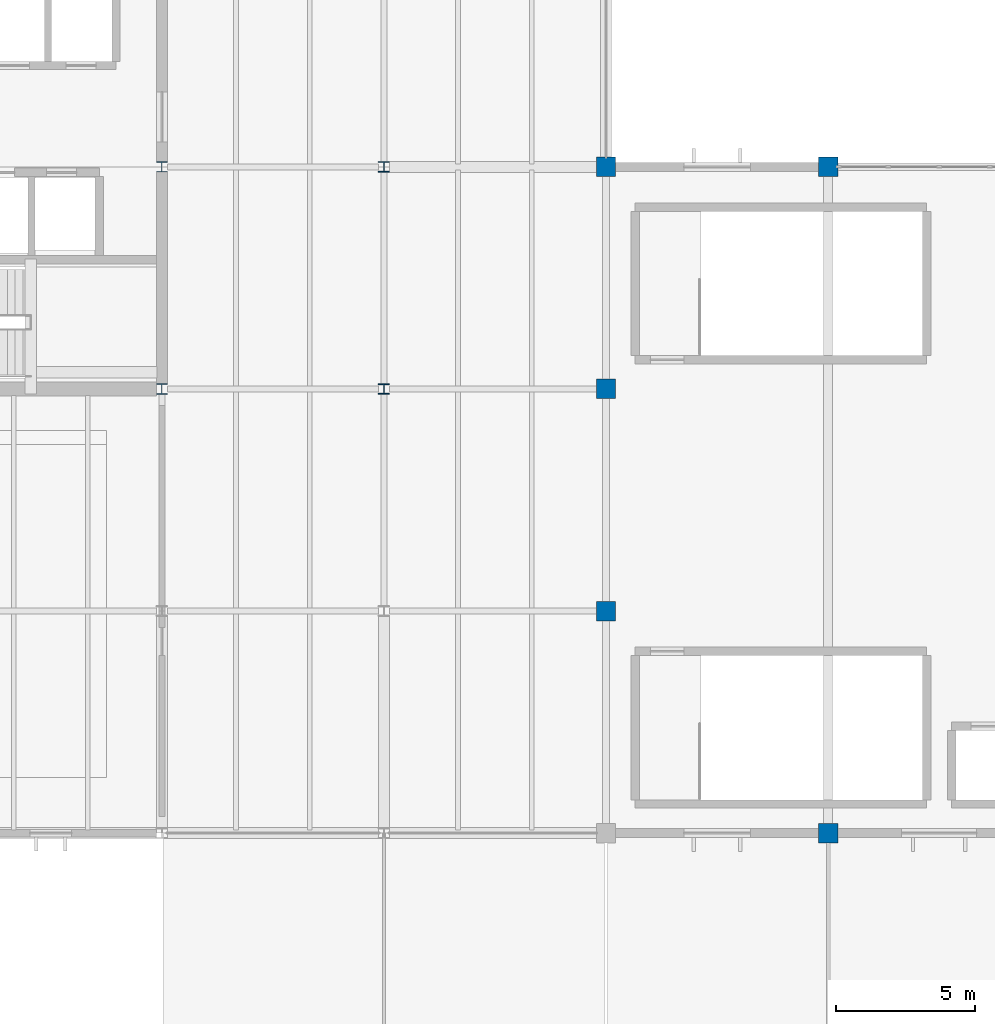
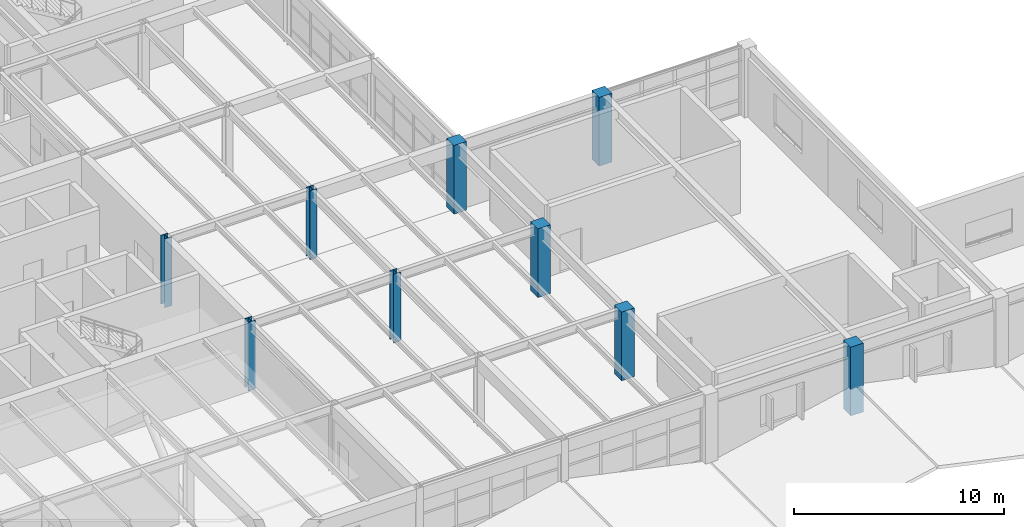
# One storey, part 2 of 48: 9 columns.
"""IFC4 building model written with IfcOpenShell, lengths in metres."""

import ifcopenshell
import ifcopenshell.guid

model = None  # the IFC model being written
_history = None  # IfcOwnerHistory: only IFC2X3 demands one
_inside = {}  # id of a spatial element -> (the spatial element, [elements in it])
_under = {}  # id of a project, library or spatial element -> (it, [spatial elements below it])
_declared = {}  # id of a project -> (the project, [libraries it declares])
_typed = {}  # id of a type object -> (the type object, [elements of that type])
_made_of = {}  # id of a material, layer set ... -> (it, [elements and type objects made of it])


def new_model(schema):
    """Start an empty IFC model of exactly this schema.

    Asked for "IFC4X3", IfcOpenShell would pick the latest addendum, in which some entities
    have other attributes; the version numbers below select the first issue.
    IFC2X3 requires an IfcOwnerHistory on every rooted entity: one is made here for all.
    """
    global model, _history
    if schema == "IFC4X3":
        model = ifcopenshell.file(schema_version=(4, 3, 0, 0))
    else:
        model = ifcopenshell.file(schema=schema)
    _inside.clear()
    _under.clear()
    _declared.clear()
    _typed.clear()
    _made_of.clear()
    _history = None
    if model.schema == "IFC2X3":
        org = make("IfcOrganization", Name="unknown")
        user = make(
            "IfcPersonAndOrganization",
            ThePerson=make("IfcPerson", FamilyName="unknown"),
            TheOrganization=org,
        )
        app = make(
            "IfcApplication",
            ApplicationDeveloper=org,
            Version="unknown",
            ApplicationFullName="unknown",
            ApplicationIdentifier="unknown",
        )
        _history = make(
            "IfcOwnerHistory",
            OwningUser=user,
            OwningApplication=app,
            ChangeAction="ADDED",
            CreationDate=0,
        )
    return model


def make(cls, **values):
    """One entity of the class cls with the attributes given. An attribute that is None is left unset."""
    return model.create_entity(
        cls, **{name: value for name, value in values.items() if value is not None}
    )


def rooted(cls, **values):
    """An entity with a GlobalId (a new one), such as an element, a storey or a relation."""
    return make(cls, GlobalId=ifcopenshell.guid.new(), OwnerHistory=_history, **values)


def si_unit(unit_type, name, prefix=None):
    """IfcSIUnit, for example si_unit("LENGTHUNIT", "METRE", prefix="MILLI")."""
    return make("IfcSIUnit", UnitType=unit_type, Prefix=prefix, Name=name)


def assignment(units):
    """IfcUnitAssignment: the units of a project."""
    return None if units is None else make("IfcUnitAssignment", Units=units)


def point(xyz):
    """IfcCartesianPoint."""
    return None if xyz is None else make("IfcCartesianPoint", Coordinates=xyz)


def direction(xyz):
    """IfcDirection."""
    return None if xyz is None else make("IfcDirection", DirectionRatios=xyz)


def frame(location, z_axis=None, x_axis=None):
    """IfcAxis2Placement3D, a coordinate frame: its origin and axes. An axis left out is left unset."""
    return make(
        "IfcAxis2Placement3D",
        Location=point(location),
        Axis=direction(z_axis),
        RefDirection=direction(x_axis),
    )


def frame_2d(location, x_axis=None):
    """IfcAxis2Placement2D, a coordinate frame in the plane: its origin and x axis."""
    return make(
        "IfcAxis2Placement2D", Location=point(location), RefDirection=direction(x_axis)
    )


def origin():
    """The frame at (0, 0, 0) with its axes left unset."""
    return frame((0.0, 0.0, 0.0))


def origin_2d():
    """The frame at (0, 0) in the plane with its x axis left unset."""
    return frame_2d((0.0, 0.0))


def place(relative_to, where):
    """IfcLocalPlacement: puts the frame where relative to a parent placement (None: the world)."""
    return make(
        "IfcLocalPlacement", PlacementRelTo=relative_to, RelativePlacement=where
    )


def context(
    kind, dimensions, precision=None, world=None, true_north=None, identifier=None
):
    """IfcGeometricRepresentationContext, for example the 3D "Model" context."""
    return make(
        "IfcGeometricRepresentationContext",
        ContextIdentifier=identifier,
        ContextType=kind,
        CoordinateSpaceDimension=dimensions,
        Precision=precision,
        WorldCoordinateSystem=world,
        TrueNorth=true_north,
    )


def subcontext(parent, identifier, kind, view, scale=None):
    """IfcGeometricRepresentationSubContext, for example "Body" below "Model"."""
    return make(
        "IfcGeometricRepresentationSubContext",
        ContextIdentifier=identifier,
        ContextType=kind,
        ParentContext=parent,
        TargetScale=scale,
        TargetView=view,
    )


def project(units=None, contexts=None):
    """IfcProject with its units and contexts."""
    return rooted(
        "IfcProject",
        Name="project",
        RepresentationContexts=contexts,
        UnitsInContext=assignment(units),
    )


def spatial(cls, under=None, at=None, **own):
    """A site, building, storey or space (cls), placed at a placement, below another one or the project."""
    s = rooted(cls, ObjectPlacement=at, **own)
    if under is not None:
        _under.setdefault(under.id(), (under, []))[1].append(s)
    return s


def profile(cls, at=None, kind="AREA", **sizes):
    """A parametric profile (cls). Its sizes go by their IFC names, for example OverallWidth=200.0."""
    return make(cls, ProfileType=kind, Position=at, **sizes)


def rectangle(**sizes):
    """IfcRectangleProfileDef."""
    return profile("IfcRectangleProfileDef", **sizes)


def i_section(**sizes):
    """IfcIShapeProfileDef."""
    return profile("IfcIShapeProfileDef", **sizes)


def extrude(swept, where, along, depth):
    """IfcExtrudedAreaSolid: the profile swept, set in the frame where, extruded along a direction by depth."""
    return make(
        "IfcExtrudedAreaSolid",
        SweptArea=swept,
        Position=where,
        ExtrudedDirection=direction(along),
        Depth=depth,
    )


def shape(context_of_items, identifier, shape_type, items):
    """IfcShapeRepresentation: the items that make up one representation, for example the "Body"."""
    return make(
        "IfcShapeRepresentation",
        ContextOfItems=context_of_items,
        RepresentationIdentifier=identifier,
        RepresentationType=shape_type,
        Items=items,
    )


def material(Name=None, Category=None):
    """IfcMaterial."""
    return make("IfcMaterial", Name=Name, Category=Category)


def material_profile(
    of_material, cross_section, Name=None, Category=None, Priority=None
):
    """IfcMaterialProfile: a cross section and its material."""
    return make(
        "IfcMaterialProfile",
        Name=Name,
        Material=of_material,
        Profile=cross_section,
        Priority=Priority,
        Category=Category,
    )


def profile_set(profiles, Name=None, composite=None):
    """IfcMaterialProfileSet."""
    return make(
        "IfcMaterialProfileSet",
        Name=Name,
        MaterialProfiles=profiles,
        CompositeProfile=composite,
    )


def made_of(thing, what):
    """Note that an element or type object is made of a material, layer set ...; save() writes the relation."""
    if what is not None:
        _made_of.setdefault(what.id(), (what, []))[1].append(thing)
    return thing


def type_object(cls, material=None, **own):
    """A type object (cls), such as IfcWallType, which elements share."""
    return made_of(rooted(cls, **own), material)


def element(
    cls,
    number,
    at=None,
    inside=None,
    cuts=None,
    type_object=None,
    material=None,
    context=None,
    identifier="Body",
    shape_type=None,
    held_by="IfcProductDefinitionShape",
    body=None,
    shapes=None,
    **own,
):
    """One element of the class cls, such as IfcWall. Its Tag is "e" and its number.

    at: its placement. inside: the storey or other place that contains it. cuts: it is an
    opening in that element (IfcRelVoidsElement). A single representation is given by context,
    identifier, shape_type and body (its items); several are given by shapes. held_by: the class
    of the entity that holds the representations. save() writes the other relations.
    """
    e = rooted(cls, Tag="e%d" % number, ObjectPlacement=at, **own)
    if body is not None:
        shapes = [shape(context, identifier, shape_type, body)]
    if shapes is not None:
        e.Representation = make(held_by, Representations=shapes)
    if inside is not None:
        _inside.setdefault(inside.id(), (inside, []))[1].append(e)
    if cuts is not None:
        rooted(
            "IfcRelVoidsElement", RelatingBuildingElement=cuts, RelatedOpeningElement=e
        )
    if type_object is not None:
        _typed.setdefault(type_object.id(), (type_object, []))[1].append(e)
    return made_of(e, material)


def aggregate(whole, parts):
    """IfcRelAggregates: a whole, such as a stair, and the parts it consists of."""
    return rooted("IfcRelAggregates", RelatingObject=whole, RelatedObjects=parts)


def save(model, path):
    """Write the relations noted so far, then the file.

    IfcRelAggregates (storeys below a building ...), IfcRelContainedInSpatialStructure (elements
    in a storey), IfcRelDefinesByType, IfcRelAssociatesMaterial and IfcRelDeclares: one each for
    every whole, place, type object, material and project.
    """
    for whole, parts in _under.values():
        aggregate(whole, parts)
    for where, things in _inside.values():
        rooted(
            "IfcRelContainedInSpatialStructure",
            RelatedElements=things,
            RelatingStructure=where,
        )
    for kind, things in _typed.values():
        rooted("IfcRelDefinesByType", RelatedObjects=things, RelatingType=kind)
    for what, things in _made_of.values():
        rooted("IfcRelAssociatesMaterial", RelatedObjects=things, RelatingMaterial=what)
    for by, libraries in _declared.values():
        rooted("IfcRelDeclares", RelatingContext=by, RelatedDefinitions=libraries)
    model.write(path)


model = new_model("IFC4")

# Units and contexts
model_context = context("Model", 3, precision=1e-05, world=origin(), true_north=direction((0.0, 1.0)))
body_context = subcontext(model_context, "Body", "Model", "MODEL_VIEW")
ifc_project = project(units=[si_unit("LENGTHUNIT", "METRE"), si_unit("AREAUNIT", "SQUARE_METRE"), si_unit("VOLUMEUNIT", "CUBIC_METRE"), si_unit("PLANEANGLEUNIT", "RADIAN"), si_unit("MASSUNIT", "GRAM", prefix="KILO")], contexts=[model_context])

# Site, building, storey
site_placement = place(None, origin())
site = spatial("IfcSite", under=ifc_project, at=site_placement, CompositionType="ELEMENT")
building_placement = place(site_placement, origin())
building = spatial("IfcBuilding", under=site, at=building_placement, Name="Varnela Railside Interchange", CompositionType="ELEMENT")
storey_placement = place(building_placement, frame((0.0, 0.0, 11.199951171875)))
storey = spatial("IfcBuildingStorey", under=building, at=storey_placement, Name="L02", CompositionType="ELEMENT", Elevation=11.199951171875)

# Columns
ifc_material_1 = material(Name="Concrete C50", Category="concrete")
ifc_material_profile_1 = material_profile(ifc_material_1, rectangle(XDim=0.699951171875, YDim=0.699951171875, at=origin_2d()), Name="RC 700x700")
ifc_profile_set_1 = profile_set([ifc_material_profile_1], Name="Concrete C50")
column_type_1 = type_object("IfcColumnType", Name="Podium Gallery Column C-02", PredefinedType="COLUMN", material=ifc_profile_set_1)
for number, where, z_axis, x_axis, name in (
    (1, (52.0, 46.0, 0.0), (0.0, 0.0, 1.0), (1.0, 0.0, 0.0), "Column C-02 (L02) (CL-0806)"),
    (2, (52.0, 54.0, 0.0), (0.0, 0.0, 1.0), (1.0, 0.0, 0.0), "Column C-02 (L02) (CL-0807)"),
    (3, (52.0, 62.0, 0.0), (0.0, 0.0, 1.0), (1.0, 0.0, 0.0), "Column C-02 (L02) (CL-0808)"),
    (4, (60.0, 38.0, 0.0), (0.0, 0.0, 1.0), (1.0, 0.0, 0.0), "Column C-02 (L02) (CL-0813)"),
    (5, (60.0, 62.0, 0.0), (0.0, 0.0, 1.0), (1.0, 0.0, 0.0), "Column C-02 (L02) (CL-0814)"),
):
    element("IfcColumn", number, at=place(storey_placement, frame(where, z_axis=z_axis, x_axis=x_axis)), inside=storey, type_object=column_type_1, Name=name, PredefinedType="COLUMN", context=body_context, shape_type="SweptSolid", body=[
        extrude(rectangle(XDim=0.699951171875, YDim=0.699951171875, at=origin_2d()), origin(), (0.0, 0.0, 1.0), 4.0),
    ])
ifc_material_2 = material(Name="Steel AR 350 (350 MPa)", Category="steel")
ifc_material_profile_2 = material_profile(ifc_material_2, i_section(OverallWidth=0.39794921875, OverallDepth=0.386962890625, WebThickness=0.02099609375, FlangeThickness=0.033203125, at=origin_2d()), Name="W360x262")
ifc_profile_set_2 = profile_set([ifc_material_profile_2], Name="Steel AR 350 (350 MPa)")
column_type_2 = type_object("IfcColumnType", Name="Superstructure Steel Col C-16", PredefinedType="COLUMN", material=ifc_profile_set_2)
for number, where, z_axis, x_axis, name in (
    (6, (36.0, 54.0, 0.0), (0.0, 0.0, 1.0), (1.0, 0.0, 0.0), "Column C-16 (L02) (CL-0791)"),
    (7, (36.0, 62.0, 0.0), (0.0, 0.0, 1.0), (1.0, 0.0, 0.0), "Column C-16 (L02) (CL-0792)"),
):
    element("IfcColumn", number, at=place(storey_placement, frame(where, z_axis=z_axis, x_axis=x_axis)), inside=storey, type_object=column_type_2, Name=name, PredefinedType="COLUMN", context=body_context, shape_type="SweptSolid", body=[
        extrude(i_section(OverallWidth=0.39794921875, OverallDepth=0.386962890625, WebThickness=0.02099609375, FlangeThickness=0.033203125, at=origin_2d()), origin(), (0.0, 0.0, 1.0), 4.0),
    ])
ifc_material_profile_3 = material_profile(ifc_material_2, i_section(OverallWidth=0.39404296875, OverallDepth=0.375, WebThickness=0.017333984375, FlangeThickness=0.027587890625, at=origin_2d()), Name="W360x216")
ifc_profile_set_3 = profile_set([ifc_material_profile_3], Name="Steel AR 350 (350 MPa)")
column_type_3 = type_object("IfcColumnType", Name="Superstructure Steel Col C-17", PredefinedType="COLUMN", material=ifc_profile_set_3)
for number, where, z_axis, x_axis, name in (
    (8, (44.0, 54.0, 0.0), (0.0, 0.0, 1.0), (1.0, 0.0, 0.0), "Column C-17 (L02) (CL-0799)"),
    (9, (44.0, 62.0, 0.0), (0.0, 0.0, 1.0), (1.0, 0.0, 0.0), "Column C-17 (L02) (CL-0800)"),
):
    element("IfcColumn", number, at=place(storey_placement, frame(where, z_axis=z_axis, x_axis=x_axis)), inside=storey, type_object=column_type_3, Name=name, PredefinedType="COLUMN", context=body_context, shape_type="SweptSolid", body=[
        extrude(i_section(OverallWidth=0.39404296875, OverallDepth=0.375, WebThickness=0.017333984375, FlangeThickness=0.027587890625, at=origin_2d()), origin(), (0.0, 0.0, 1.0), 4.0),
    ])

save(model, "model.ifc")
